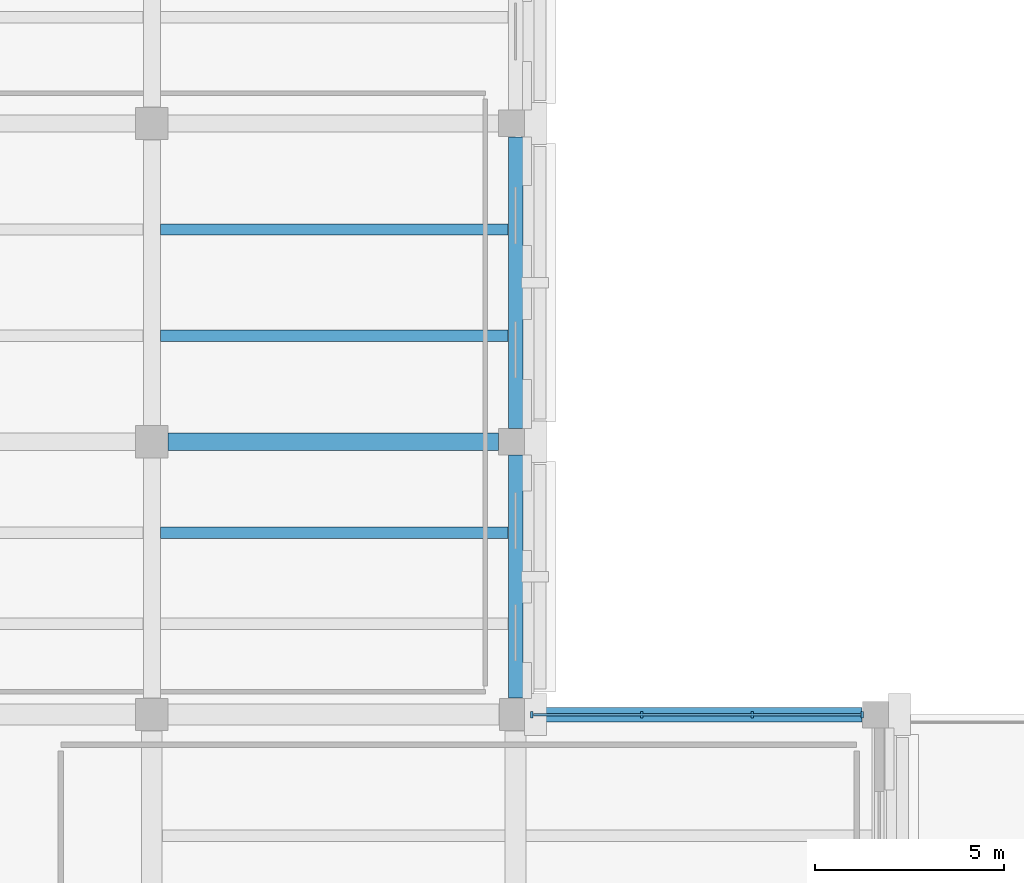
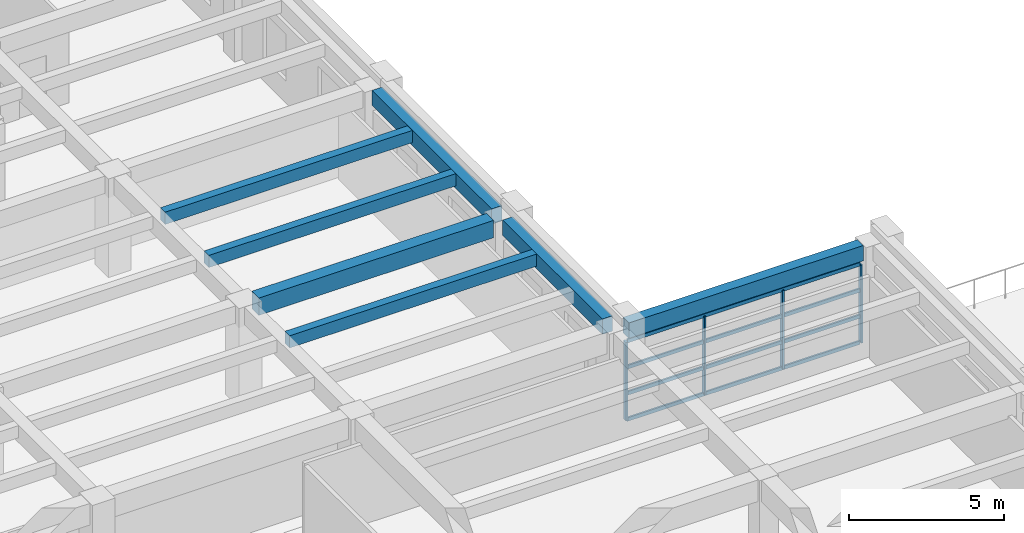
# One storey, part 30 of 71: 8 members, 7 beams, 1 element without a shape of its own.
"""IFC4 building model written with IfcOpenShell, lengths in metres."""

import ifcopenshell
import ifcopenshell.guid

model = None  # the IFC model being written
_history = None  # IfcOwnerHistory: only IFC2X3 demands one
_inside = {}  # id of a spatial element -> (the spatial element, [elements in it])
_under = {}  # id of a project, library or spatial element -> (it, [spatial elements below it])
_declared = {}  # id of a project -> (the project, [libraries it declares])
_typed = {}  # id of a type object -> (the type object, [elements of that type])
_made_of = {}  # id of a material, layer set ... -> (it, [elements and type objects made of it])


def new_model(schema):
    """Start an empty IFC model of exactly this schema.

    Asked for "IFC4X3", IfcOpenShell would pick the latest addendum, in which some entities
    have other attributes; the version numbers below select the first issue.
    IFC2X3 requires an IfcOwnerHistory on every rooted entity: one is made here for all.
    """
    global model, _history
    if schema == "IFC4X3":
        model = ifcopenshell.file(schema_version=(4, 3, 0, 0))
    else:
        model = ifcopenshell.file(schema=schema)
    _inside.clear()
    _under.clear()
    _declared.clear()
    _typed.clear()
    _made_of.clear()
    _history = None
    if model.schema == "IFC2X3":
        org = make("IfcOrganization", Name="unknown")
        user = make(
            "IfcPersonAndOrganization",
            ThePerson=make("IfcPerson", FamilyName="unknown"),
            TheOrganization=org,
        )
        app = make(
            "IfcApplication",
            ApplicationDeveloper=org,
            Version="unknown",
            ApplicationFullName="unknown",
            ApplicationIdentifier="unknown",
        )
        _history = make(
            "IfcOwnerHistory",
            OwningUser=user,
            OwningApplication=app,
            ChangeAction="ADDED",
            CreationDate=0,
        )
    return model


def make(cls, **values):
    """One entity of the class cls with the attributes given. An attribute that is None is left unset."""
    return model.create_entity(
        cls, **{name: value for name, value in values.items() if value is not None}
    )


def rooted(cls, **values):
    """An entity with a GlobalId (a new one), such as an element, a storey or a relation."""
    return make(cls, GlobalId=ifcopenshell.guid.new(), OwnerHistory=_history, **values)


def si_unit(unit_type, name, prefix=None):
    """IfcSIUnit, for example si_unit("LENGTHUNIT", "METRE", prefix="MILLI")."""
    return make("IfcSIUnit", UnitType=unit_type, Prefix=prefix, Name=name)


def assignment(units):
    """IfcUnitAssignment: the units of a project."""
    return None if units is None else make("IfcUnitAssignment", Units=units)


def point(xyz):
    """IfcCartesianPoint."""
    return None if xyz is None else make("IfcCartesianPoint", Coordinates=xyz)


def direction(xyz):
    """IfcDirection."""
    return None if xyz is None else make("IfcDirection", DirectionRatios=xyz)


def frame(location, z_axis=None, x_axis=None):
    """IfcAxis2Placement3D, a coordinate frame: its origin and axes. An axis left out is left unset."""
    return make(
        "IfcAxis2Placement3D",
        Location=point(location),
        Axis=direction(z_axis),
        RefDirection=direction(x_axis),
    )


def frame_2d(location, x_axis=None):
    """IfcAxis2Placement2D, a coordinate frame in the plane: its origin and x axis."""
    return make(
        "IfcAxis2Placement2D", Location=point(location), RefDirection=direction(x_axis)
    )


def origin():
    """The frame at (0, 0, 0) with its axes left unset."""
    return frame((0.0, 0.0, 0.0))


def origin_2d():
    """The frame at (0, 0) in the plane with its x axis left unset."""
    return frame_2d((0.0, 0.0))


def place(relative_to, where):
    """IfcLocalPlacement: puts the frame where relative to a parent placement (None: the world)."""
    return make(
        "IfcLocalPlacement", PlacementRelTo=relative_to, RelativePlacement=where
    )


def context(
    kind, dimensions, precision=None, world=None, true_north=None, identifier=None
):
    """IfcGeometricRepresentationContext, for example the 3D "Model" context."""
    return make(
        "IfcGeometricRepresentationContext",
        ContextIdentifier=identifier,
        ContextType=kind,
        CoordinateSpaceDimension=dimensions,
        Precision=precision,
        WorldCoordinateSystem=world,
        TrueNorth=true_north,
    )


def subcontext(parent, identifier, kind, view, scale=None):
    """IfcGeometricRepresentationSubContext, for example "Body" below "Model"."""
    return make(
        "IfcGeometricRepresentationSubContext",
        ContextIdentifier=identifier,
        ContextType=kind,
        ParentContext=parent,
        TargetScale=scale,
        TargetView=view,
    )


def project(units=None, contexts=None):
    """IfcProject with its units and contexts."""
    return rooted(
        "IfcProject",
        Name="project",
        RepresentationContexts=contexts,
        UnitsInContext=assignment(units),
    )


def spatial(cls, under=None, at=None, **own):
    """A site, building, storey or space (cls), placed at a placement, below another one or the project."""
    s = rooted(cls, ObjectPlacement=at, **own)
    if under is not None:
        _under.setdefault(under.id(), (under, []))[1].append(s)
    return s


def profile(cls, at=None, kind="AREA", **sizes):
    """A parametric profile (cls). Its sizes go by their IFC names, for example OverallWidth=200.0."""
    return make(cls, ProfileType=kind, Position=at, **sizes)


def rectangle(**sizes):
    """IfcRectangleProfileDef."""
    return profile("IfcRectangleProfileDef", **sizes)


def extrude(swept, where, along, depth):
    """IfcExtrudedAreaSolid: the profile swept, set in the frame where, extruded along a direction by depth."""
    return make(
        "IfcExtrudedAreaSolid",
        SweptArea=swept,
        Position=where,
        ExtrudedDirection=direction(along),
        Depth=depth,
    )


def shape(context_of_items, identifier, shape_type, items):
    """IfcShapeRepresentation: the items that make up one representation, for example the "Body"."""
    return make(
        "IfcShapeRepresentation",
        ContextOfItems=context_of_items,
        RepresentationIdentifier=identifier,
        RepresentationType=shape_type,
        Items=items,
    )


def material(Name=None, Category=None):
    """IfcMaterial."""
    return make("IfcMaterial", Name=Name, Category=Category)


def layer(
    of_material, thickness, ventilated=None, Name=None, Category=None, Priority=None
):
    """IfcMaterialLayer: one layer of a wall or slab, of a material (None: an air gap)."""
    return make(
        "IfcMaterialLayer",
        Material=of_material,
        LayerThickness=thickness,
        IsVentilated=ventilated,
        Name=Name,
        Category=Category,
        Priority=Priority,
    )


def layer_set(layers, Name=None):
    """IfcMaterialLayerSet."""
    return make("IfcMaterialLayerSet", MaterialLayers=layers, LayerSetName=Name)


def material_profile(
    of_material, cross_section, Name=None, Category=None, Priority=None
):
    """IfcMaterialProfile: a cross section and its material."""
    return make(
        "IfcMaterialProfile",
        Name=Name,
        Material=of_material,
        Profile=cross_section,
        Priority=Priority,
        Category=Category,
    )


def profile_set(profiles, Name=None, composite=None):
    """IfcMaterialProfileSet."""
    return make(
        "IfcMaterialProfileSet",
        Name=Name,
        MaterialProfiles=profiles,
        CompositeProfile=composite,
    )


def made_of(thing, what):
    """Note that an element or type object is made of a material, layer set ...; save() writes the relation."""
    if what is not None:
        _made_of.setdefault(what.id(), (what, []))[1].append(thing)
    return thing


def type_object(cls, material=None, **own):
    """A type object (cls), such as IfcWallType, which elements share."""
    return made_of(rooted(cls, **own), material)


def element(
    cls,
    number,
    at=None,
    inside=None,
    cuts=None,
    type_object=None,
    material=None,
    context=None,
    identifier="Body",
    shape_type=None,
    held_by="IfcProductDefinitionShape",
    body=None,
    shapes=None,
    **own,
):
    """One element of the class cls, such as IfcWall. Its Tag is "e" and its number.

    at: its placement. inside: the storey or other place that contains it. cuts: it is an
    opening in that element (IfcRelVoidsElement). A single representation is given by context,
    identifier, shape_type and body (its items); several are given by shapes. held_by: the class
    of the entity that holds the representations. save() writes the other relations.
    """
    e = rooted(cls, Tag="e%d" % number, ObjectPlacement=at, **own)
    if body is not None:
        shapes = [shape(context, identifier, shape_type, body)]
    if shapes is not None:
        e.Representation = make(held_by, Representations=shapes)
    if inside is not None:
        _inside.setdefault(inside.id(), (inside, []))[1].append(e)
    if cuts is not None:
        rooted(
            "IfcRelVoidsElement", RelatingBuildingElement=cuts, RelatedOpeningElement=e
        )
    if type_object is not None:
        _typed.setdefault(type_object.id(), (type_object, []))[1].append(e)
    return made_of(e, material)


def aggregate(whole, parts):
    """IfcRelAggregates: a whole, such as a stair, and the parts it consists of."""
    return rooted("IfcRelAggregates", RelatingObject=whole, RelatedObjects=parts)


def save(model, path):
    """Write the relations noted so far, then the file.

    IfcRelAggregates (storeys below a building ...), IfcRelContainedInSpatialStructure (elements
    in a storey), IfcRelDefinesByType, IfcRelAssociatesMaterial and IfcRelDeclares: one each for
    every whole, place, type object, material and project.
    """
    for whole, parts in _under.values():
        aggregate(whole, parts)
    for where, things in _inside.values():
        rooted(
            "IfcRelContainedInSpatialStructure",
            RelatedElements=things,
            RelatingStructure=where,
        )
    for kind, things in _typed.values():
        rooted("IfcRelDefinesByType", RelatedObjects=things, RelatingType=kind)
    for what, things in _made_of.values():
        rooted("IfcRelAssociatesMaterial", RelatedObjects=things, RelatingMaterial=what)
    for by, libraries in _declared.values():
        rooted("IfcRelDeclares", RelatingContext=by, RelatedDefinitions=libraries)
    model.write(path)


model = new_model("IFC4")

# Units and contexts
model_context = context("Model", 3, precision=1e-05, world=origin(), true_north=direction((0.0, 1.0)))
body_context = subcontext(model_context, "Body", "Model", "MODEL_VIEW")
ifc_project = project(units=[si_unit("LENGTHUNIT", "METRE"), si_unit("AREAUNIT", "SQUARE_METRE"), si_unit("VOLUMEUNIT", "CUBIC_METRE"), si_unit("PLANEANGLEUNIT", "RADIAN"), si_unit("MASSUNIT", "GRAM", prefix="KILO")], contexts=[model_context])

# Site, building, storey
site_placement = place(None, origin())
site = spatial("IfcSite", under=ifc_project, at=site_placement, CompositionType="ELEMENT")
building_placement = place(site_placement, origin())
building = spatial("IfcBuilding", under=site, at=building_placement, Name="Bempovik Park Faculty of Sciences", CompositionType="ELEMENT")
storey_placement = place(building_placement, frame((0.0, 0.0, 14.10009765625)))
storey = spatial("IfcBuildingStorey", under=building, at=storey_placement, Name="L03", CompositionType="ELEMENT", Elevation=14.10009765625)

# Beams
ifc_material_1 = material(Name="Concrete C35/45", Category="concrete")
ifc_material_profile_1 = material_profile(ifc_material_1, rectangle(XDim=0.3798828125, YDim=0.60009765625, at=origin_2d()), Name="RC 380x600")
ifc_profile_set_1 = profile_set([ifc_material_profile_1], Name="Concrete C35/45")
beam_type_1 = type_object("IfcBeamType", Name="B-032 RC 380x600", PredefinedType="SPANDREL", material=ifc_profile_set_1)
beam_1_placement = place(storey_placement, frame((118.031005859375, 87.0, 3.599853515625), z_axis=(1.0, 0.0, 0.0), x_axis=(0.0, 1.0, 0.0)))
element("IfcBeam", 1, at=beam_1_placement, inside=storey, type_object=beam_type_1, Name="L03 Beam X (117.6-127.2, y=87.0)", PredefinedType="SPANDREL", context=body_context, shape_type="SweptSolid", body=[
    extrude(rectangle(XDim=0.3798828125, YDim=0.60009765625, at=origin_2d()), origin(), (0.0, 0.0, 1.0), 8.712890625),
])
beam_2_placement = place(storey_placement, frame((117.60009765625, 87.430908203125, 3.599853515625), z_axis=(0.0, 1.0, 0.0), x_axis=(-1.0, 0.0, 0.0)))
element("IfcBeam", 2, at=beam_2_placement, inside=storey, type_object=beam_type_1, Name="L03 Beam Y (x=117.6, 87.0-94.2)", PredefinedType="SPANDREL", context=body_context, shape_type="SweptSolid", body=[
    extrude(rectangle(XDim=0.3798828125, YDim=0.60009765625, at=origin_2d()), origin(), (0.0, 0.0, 1.0), 6.4130859375),
])
beam_3_placement = place(storey_placement, frame((117.60009765625, 94.555908203125, 3.599853515625), z_axis=(0.0, 1.0, 0.0), x_axis=(-1.0, 0.0, 0.0)))
element("IfcBeam", 3, at=beam_3_placement, inside=storey, type_object=beam_type_1, Name="L03 Beam Y (x=117.6, 94.2-102.6)", PredefinedType="SPANDREL", context=body_context, shape_type="SweptSolid", body=[
    extrude(rectangle(XDim=0.3798828125, YDim=0.60009765625, at=origin_2d()), origin(), (0.0, 0.0, 1.0), 7.68798828125),
])
ifc_material_profile_2 = material_profile(ifc_material_1, rectangle(XDim=0.300048828125, YDim=0.47998046875, at=origin_2d()), Name="RC 300x480")
ifc_profile_set_2 = profile_set([ifc_material_profile_2], Name="Concrete C35/45")
beam_type_2 = type_object("IfcBeamType", Name="B-039 RC 300x480", PredefinedType="JOIST", material=ifc_profile_set_2)
for number, where, z_axis, x_axis, name in (
    (4, (108.23095703125, 91.800048828125, 3.659912109375), (1.0, 0.0, 0.0), (0.0, 1.0, 0.0), "L03 Secondary Joist (108.0-117.6, y=91.80)"),
    (5, (108.23095703125, 97.0, 3.659912109375), (1.0, 0.0, 0.0), (0.0, 1.0, 0.0), "L03 Secondary Joist (108.0-117.6, y=97.00)"),
    (6, (108.23095703125, 99.800048828125, 3.659912109375), (1.0, 0.0, 0.0), (0.0, 1.0, 0.0), "L03 Secondary Joist (108.0-117.6, y=99.80)"),
):
    element("IfcBeam", number, at=place(storey_placement, frame(where, z_axis=z_axis, x_axis=x_axis)), inside=storey, type_object=beam_type_2, Name=name, PredefinedType="JOIST", context=body_context, shape_type="SweptSolid", body=[
        extrude(rectangle(XDim=0.300048828125, YDim=0.47998046875, at=origin_2d()), origin(), (0.0, 0.0, 1.0), 9.173095703125),
    ])
ifc_material_profile_3 = material_profile(ifc_material_1, rectangle(XDim=0.449951171875, YDim=0.679931640625, at=origin_2d()), Name="RC 450x680")
ifc_profile_set_3 = profile_set([ifc_material_profile_3], Name="Concrete C35/45")
beam_type_3 = type_object("IfcBeamType", Name="B-113 RC 450x680", PredefinedType="BEAM", material=ifc_profile_set_3)
beam_4_placement = place(storey_placement, frame((108.430908203125, 94.199951171875, 3.559814453125), z_axis=(1.0, 0.0, 0.0), x_axis=(0.0, 1.0, 0.0)))
element("IfcBeam", 7, at=beam_4_placement, inside=storey, type_object=beam_type_3, Name="L03 Beam X (108.0-117.6, y=94.2)", PredefinedType="BEAM", context=body_context, shape_type="SweptSolid", body=[
    extrude(rectangle(XDim=0.449951171875, YDim=0.679931640625, at=origin_2d()), origin(), (0.0, 0.0, 1.0), 8.713134765625),
])

# Curtain wall, members
ifc_material_2 = material(Name="Tempered laminated low-E glass", Category="glass")
ifc_layer = layer(ifc_material_2, 0.159912109375)
ifc_layer_set = layer_set([ifc_layer], Name="Tempered laminated low-E glass")
curtain_wall_type = type_object("IfcCurtainWallType", Name="CW-41 Curtain 6600x3800", PredefinedType="USERDEFINED", material=ifc_layer_set)
curtain_wall_placement = place(storey_placement, origin())
curtain_wall = element("IfcCurtainWall", 8, at=curtain_wall_placement, inside=storey, type_object=curtain_wall_type, Name="L03 Unitised Curtain Wall (87.0,117.6)", ObjectType="UNITISED CURTAIN WALL", PredefinedType="USERDEFINED")
ifc_material_3 = material(Name="Anodised architectural bronze", Category="aluminium")
ifc_material_profile_4 = material_profile(ifc_material_3, rectangle(XDim=0.06494140625, YDim=0.169921875, at=origin_2d()), Name="ALU-M 65x170")
ifc_profile_set_4 = profile_set([ifc_material_profile_4], Name="Anodised architectural bronze")
member_type_1 = type_object("IfcMemberType", Name="ML-15 ALU-M 65x170", PredefinedType="MULLION", material=ifc_profile_set_4)
member_1_placement = place(storey_placement, frame((118.027099609375, 87.0, 0.0), z_axis=(0.0, 0.0, 1.0), x_axis=(1.0, 0.0, 0.0)))
member_1 = element("IfcMember", 9, at=member_1_placement, type_object=member_type_1, Name="CW-BAY-L03-870-1176 Mullion 0", PredefinedType="MULLION", context=body_context, shape_type="SweptSolid", body=[
    extrude(rectangle(XDim=0.06494140625, YDim=0.169921875, at=origin_2d()), origin(), (0.0, 0.0, 1.0), 3.079833984375),
])
member_2_placement = place(storey_placement, frame((120.93408203125, 87.0, 0.0), z_axis=(0.0, 0.0, 1.0), x_axis=(1.0, 0.0, 0.0)))
member_2 = element("IfcMember", 10, at=member_2_placement, type_object=member_type_1, Name="CW-BAY-L03-870-1176 Mullion 1", PredefinedType="MULLION", context=body_context, shape_type="SweptSolid", body=[
    extrude(rectangle(XDim=0.06494140625, YDim=0.169921875, at=origin_2d()), origin(), (0.0, 0.0, 1.0), 3.079833984375),
])
member_3_placement = place(storey_placement, frame((123.841064453125, 87.0, 0.0), z_axis=(0.0, 0.0, 1.0), x_axis=(1.0, 0.0, 0.0)))
member_3 = element("IfcMember", 11, at=member_3_placement, type_object=member_type_1, Name="CW-BAY-L03-870-1176 Mullion 2", PredefinedType="MULLION", context=body_context, shape_type="SweptSolid", body=[
    extrude(rectangle(XDim=0.06494140625, YDim=0.169921875, at=origin_2d()), origin(), (0.0, 0.0, 1.0), 3.079833984375),
])
member_4_placement = place(storey_placement, frame((126.748046875, 87.0, 0.0), z_axis=(0.0, 0.0, 1.0), x_axis=(1.0, 0.0, 0.0)))
member_4 = element("IfcMember", 12, at=member_4_placement, type_object=member_type_1, Name="CW-BAY-L03-870-1176 Mullion 3", PredefinedType="MULLION", context=body_context, shape_type="SweptSolid", body=[
    extrude(rectangle(XDim=0.06494140625, YDim=0.169921875, at=origin_2d()), origin(), (0.0, 0.0, 1.0), 3.079833984375),
])
ifc_material_profile_5 = material_profile(ifc_material_3, rectangle(XDim=0.06494140625, YDim=0.139892578125, at=origin_2d()), Name="ALU-T 65x140")
ifc_profile_set_5 = profile_set([ifc_material_profile_5], Name="Anodised architectural bronze")
member_type_2 = type_object("IfcMemberType", Name="TR-17 ALU-T 65x140", PredefinedType="USERDEFINED", material=ifc_profile_set_5)
member_5_placement = place(storey_placement, frame((118.06689453125, 87.0, 0.0), z_axis=(1.0, 0.0, 0.0), x_axis=(0.0, 1.0, 0.0)))
member_5 = element("IfcMember", 13, at=member_5_placement, type_object=member_type_2, Name="CW-BAY-L03-870-1176 Transom 0", ObjectType="TRANSOM", PredefinedType="USERDEFINED", context=body_context, shape_type="SweptSolid", body=[
    extrude(rectangle(XDim=0.06494140625, YDim=0.139892578125, at=origin_2d()), origin(), (0.0, 0.0, 1.0), 8.64111328125),
])
member_6_placement = place(storey_placement, frame((118.06689453125, 87.0, 1.026611328125), z_axis=(1.0, 0.0, 0.0), x_axis=(0.0, 1.0, 0.0)))
member_6 = element("IfcMember", 14, at=member_6_placement, type_object=member_type_2, Name="CW-BAY-L03-870-1176 Transom 1", ObjectType="TRANSOM", PredefinedType="USERDEFINED", context=body_context, shape_type="SweptSolid", body=[
    extrude(rectangle(XDim=0.06494140625, YDim=0.139892578125, at=origin_2d()), origin(), (0.0, 0.0, 1.0), 8.64111328125),
])
member_7_placement = place(storey_placement, frame((118.06689453125, 87.0, 2.05322265625), z_axis=(1.0, 0.0, 0.0), x_axis=(0.0, 1.0, 0.0)))
member_7 = element("IfcMember", 15, at=member_7_placement, type_object=member_type_2, Name="CW-BAY-L03-870-1176 Transom 2", ObjectType="TRANSOM", PredefinedType="USERDEFINED", context=body_context, shape_type="SweptSolid", body=[
    extrude(rectangle(XDim=0.06494140625, YDim=0.139892578125, at=origin_2d()), origin(), (0.0, 0.0, 1.0), 8.64111328125),
])
member_8_placement = place(storey_placement, frame((118.06689453125, 87.0, 3.079833984375), z_axis=(1.0, 0.0, 0.0), x_axis=(0.0, 1.0, 0.0)))
member_8 = element("IfcMember", 16, at=member_8_placement, type_object=member_type_2, Name="CW-BAY-L03-870-1176 Transom 3", ObjectType="TRANSOM", PredefinedType="USERDEFINED", context=body_context, shape_type="SweptSolid", body=[
    extrude(rectangle(XDim=0.06494140625, YDim=0.139892578125, at=origin_2d()), origin(), (0.0, 0.0, 1.0), 8.64111328125),
])
aggregate(curtain_wall, [member_1, member_2, member_3, member_4, member_5, member_6, member_7, member_8])

save(model, "model.ifc")
